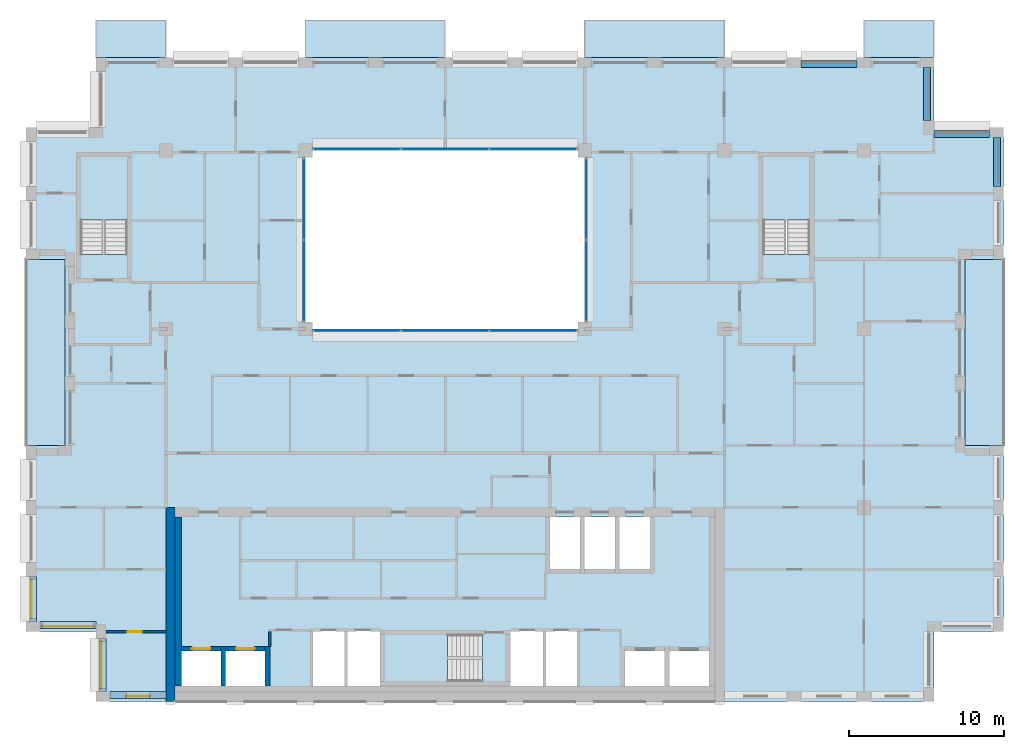
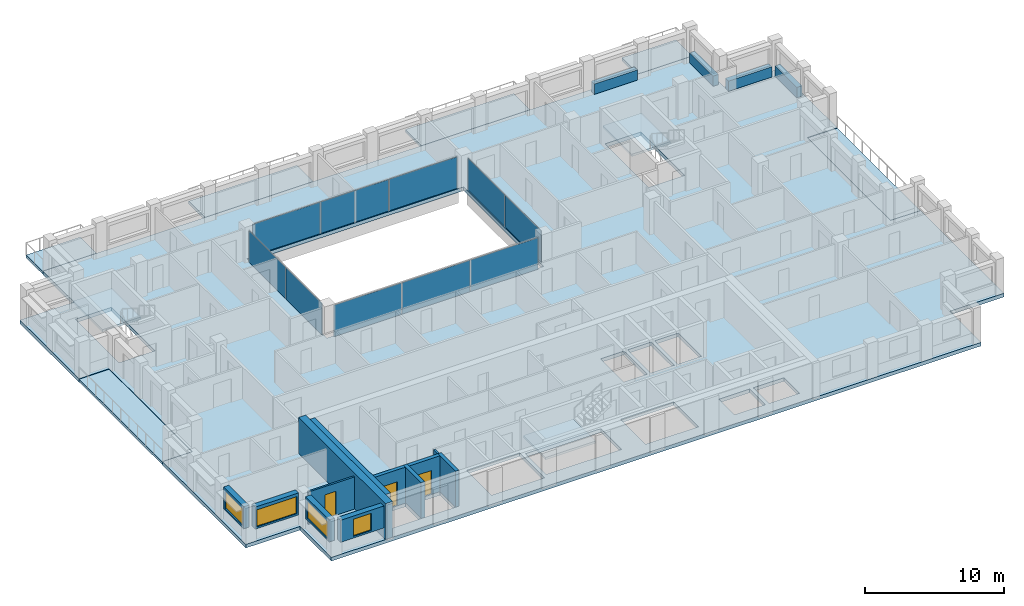
# One storey, part 7 of 15: 12 walls, 10 plates, 10 slabs, 4 beams, 4 windows, 3 doors, 7 openings, 7 elements without a shape of their own.
"""IFC4 building model written with IfcOpenShell, lengths in metres."""

from ifc_helpers import new_model, si_unit, direction, frame, frame_2d, origin, origin_2d, place, context, subcontext, project, spatial, polyline, rectangle, outline, extrude, material, layer, layer_set, material_profile, profile_set, type_object, element, fill, aggregate, save


model = new_model("IFC4")

# Units and contexts
model_context = context("Model", 3, precision=1e-05, world=origin(), true_north=direction((0.0, 1.0)))
body_context = subcontext(model_context, "Body", "Model", "MODEL_VIEW")
ifc_project = project(units=[si_unit("LENGTHUNIT", "METRE"), si_unit("AREAUNIT", "SQUARE_METRE"), si_unit("VOLUMEUNIT", "CUBIC_METRE"), si_unit("PLANEANGLEUNIT", "RADIAN"), si_unit("MASSUNIT", "GRAM", prefix="KILO")], contexts=[model_context])

# Site, building, storey
site_placement = place(None, origin())
site = spatial("IfcSite", under=ifc_project, at=site_placement, CompositionType="ELEMENT")
building_placement = place(site_placement, origin())
building = spatial("IfcBuilding", under=site, at=building_placement, Name="Brigalow Station Residences", CompositionType="ELEMENT")
storey_placement = place(building_placement, frame((0.0, 0.0, 207.449951171875)))
storey = spatial("IfcBuildingStorey", under=building, at=storey_placement, Name="L59", CompositionType="ELEMENT", Elevation=207.449951171875)

# Beams
ifc_material_1 = material(Name="Concrete C50", Category="concrete")
ifc_material_profile = material_profile(ifc_material_1, rectangle(XDim=0.449951171875, YDim=0.89990234375, at=origin_2d()), Name="RC450x900")
ifc_profile_set = profile_set([ifc_material_profile], Name="Concrete C50")
beam_type = type_object("IfcBeamType", Name="SPANDREL BEAM 450x900 C50", PredefinedType="SPANDREL", material=ifc_profile_set)
beam_1_placement = place(storey_placement, frame((71.574951171875, 33.199951171875, 0.449951171875), z_axis=(0.0, 1.0, 0.0), x_axis=(-1.0, 0.0, 0.0)))
element("IfcBeam", 1, at=beam_1_placement, inside=storey, type_object=beam_type, Name="L59/spandrel/W-L59-17", PredefinedType="SPANDREL", context=body_context, shape_type="SweptSolid", body=[
    extrude(rectangle(XDim=0.449951171875, YDim=0.89990234375, at=origin_2d()), origin(), (0.0, 0.0, 1.0), 3.150146484375),
])
beam_2_placement = place(storey_placement, frame((71.10009765625, 36.574951171875, 0.449951171875), z_axis=(-1.0, 0.0, 0.0), x_axis=(0.0, -1.0, 0.0)))
element("IfcBeam", 2, at=beam_2_placement, inside=storey, type_object=beam_type, Name="L59/spandrel/W-L59-18", PredefinedType="SPANDREL", context=body_context, shape_type="SweptSolid", body=[
    extrude(rectangle(XDim=0.449951171875, YDim=0.89990234375, at=origin_2d()), origin(), (0.0, 0.0, 1.0), 3.60009765625),
])
beam_3_placement = place(storey_placement, frame((67.074951171875, 37.449951171875, 0.449951171875), z_axis=(0.0, 1.0, 0.0), x_axis=(-1.0, 0.0, 0.0)))
element("IfcBeam", 3, at=beam_3_placement, inside=storey, type_object=beam_type, Name="L59/spandrel/W-L59-19", PredefinedType="SPANDREL", context=body_context, shape_type="SweptSolid", body=[
    extrude(rectangle(XDim=0.449951171875, YDim=0.89990234375, at=origin_2d()), origin(), (0.0, 0.0, 1.0), 3.400146484375),
])
beam_4_placement = place(storey_placement, frame((62.550048828125, 41.074951171875, 0.449951171875), z_axis=(-1.0, 0.0, 0.0), x_axis=(0.0, -1.0, 0.0)))
element("IfcBeam", 4, at=beam_4_placement, inside=storey, type_object=beam_type, Name="L59/spandrel/W-L59-21", PredefinedType="SPANDREL", context=body_context, shape_type="SweptSolid", body=[
    extrude(rectangle(XDim=0.449951171875, YDim=0.89990234375, at=origin_2d()), origin(), (0.0, 0.0, 1.0), 3.60009765625),
])

# Curtain wall, plates
ifc_material_2 = material(Name="Aluminium", Category="aluminium")
ifc_layer_1 = layer(ifc_material_2, 0.14990234375)
ifc_layer_set_1 = layer_set([ifc_layer_1], Name="ATRIUM FIRE-RATED GLAZING CURTAIN WALL")
curtain_wall_type = type_object("IfcCurtainWallType", Name="ATRIUM FIRE-RATED GLAZING CURTAIN WALL", PredefinedType="NOTDEFINED", material=ifc_layer_set_1)
curtain_wall_1_placement = place(storey_placement, origin())
curtain_wall_1 = element("IfcCurtainWall", 5, at=curtain_wall_1_placement, inside=storey, type_object=curtain_wall_type, Name="L59/cw/atrium-S", PredefinedType="NOTDEFINED")
ifc_material_3 = material(Name="Fire-resisting laminated glazing, FRL -/60/-", Category="glass")
ifc_layer_2 = layer(ifc_material_3, 0.031982421875)
ifc_layer_set_2 = layer_set([ifc_layer_2], Name="ATRIUM FIRE-RATED GLAZING PANEL 32")
plate_type = type_object("IfcPlateType", Name="ATRIUM FIRE-RATED GLAZING PANEL 32", PredefinedType="CURTAIN_PANEL", material=ifc_layer_set_2)
plate_1_placement = place(storey_placement, frame((30.31494140625, 23.89990234375, 0.0), z_axis=(0.0, 0.0, 1.0), x_axis=(1.0, 0.0, 0.0)))
plate_1 = element("IfcPlate", 6, at=plate_1_placement, type_object=plate_type, Name="L59/cw/atrium-S/P00-00", PredefinedType="CURTAIN_PANEL", context=body_context, shape_type="SweptSolid", body=[
    extrude(rectangle(XDim=5.610107421875, YDim=0.031982421875, at=origin_2d()), origin(), (0.0, 0.0, 1.0), 2.77001953125),
])
plate_2_placement = place(storey_placement, frame((36.0, 23.89990234375, 0.0), z_axis=(0.0, 0.0, 1.0), x_axis=(1.0, 0.0, 0.0)))
plate_2 = element("IfcPlate", 7, at=plate_2_placement, type_object=plate_type, Name="L59/cw/atrium-S/P01-00", PredefinedType="CURTAIN_PANEL", context=body_context, shape_type="SweptSolid", body=[
    extrude(rectangle(XDim=5.639892578125, YDim=0.031982421875, at=origin_2d()), origin(), (0.0, 0.0, 1.0), 2.77001953125),
])
plate_3_placement = place(storey_placement, frame((41.68505859375, 23.89990234375, 0.0), z_axis=(0.0, 0.0, 1.0), x_axis=(1.0, 0.0, 0.0)))
plate_3 = element("IfcPlate", 8, at=plate_3_placement, type_object=plate_type, Name="L59/cw/atrium-S/P02-00", PredefinedType="CURTAIN_PANEL", context=body_context, shape_type="SweptSolid", body=[
    extrude(rectangle(XDim=5.610107421875, YDim=0.031982421875, at=origin_2d()), origin(), (0.0, 0.0, 1.0), 2.77001953125),
])
aggregate(curtain_wall_1, [plate_1, plate_2, plate_3])

curtain_wall_2_placement = place(storey_placement, origin())
curtain_wall_2 = element("IfcCurtainWall", 9, at=curtain_wall_2_placement, inside=storey, type_object=curtain_wall_type, Name="L59/cw/atrium-E", PredefinedType="NOTDEFINED")
plate_4_placement = place(storey_placement, frame((45.10009765625, 27.114990234375, 0.0), z_axis=(0.0, 0.0, 1.0), x_axis=(0.0, 1.0, 0.0)))
plate_4 = element("IfcPlate", 10, at=plate_4_placement, type_object=plate_type, Name="L59/cw/atrium-E/P00-00", PredefinedType="CURTAIN_PANEL", context=body_context, shape_type="SweptSolid", body=[
    extrude(rectangle(XDim=5.2099609375, YDim=0.031982421875, at=origin_2d()), origin(), (0.0, 0.0, 1.0), 2.77001953125),
])
plate_5_placement = place(storey_placement, frame((45.10009765625, 32.385009765625, 0.0), z_axis=(0.0, 0.0, 1.0), x_axis=(0.0, 1.0, 0.0)))
plate_5 = element("IfcPlate", 11, at=plate_5_placement, type_object=plate_type, Name="L59/cw/atrium-E/P01-00", PredefinedType="CURTAIN_PANEL", context=body_context, shape_type="SweptSolid", body=[
    extrude(rectangle(XDim=5.2099609375, YDim=0.031982421875, at=origin_2d()), origin(), (0.0, 0.0, 1.0), 2.77001953125),
])
aggregate(curtain_wall_2, [plate_4, plate_5])

curtain_wall_3_placement = place(storey_placement, origin())
curtain_wall_3 = element("IfcCurtainWall", 12, at=curtain_wall_3_placement, inside=storey, type_object=curtain_wall_type, Name="L59/cw/atrium-N", PredefinedType="NOTDEFINED")
plate_6_placement = place(storey_placement, frame((41.68505859375, 35.60009765625, 0.0), z_axis=(0.0, 0.0, 1.0), x_axis=(-1.0, 0.0, 0.0)))
plate_6 = element("IfcPlate", 13, at=plate_6_placement, type_object=plate_type, Name="L59/cw/atrium-N/P00-00", PredefinedType="CURTAIN_PANEL", context=body_context, shape_type="SweptSolid", body=[
    extrude(rectangle(XDim=5.610107421875, YDim=0.031982421875, at=origin_2d()), origin(), (0.0, 0.0, 1.0), 2.77001953125),
])
plate_7_placement = place(storey_placement, frame((36.0, 35.60009765625, 0.0), z_axis=(0.0, 0.0, 1.0), x_axis=(-1.0, 0.0, 0.0)))
plate_7 = element("IfcPlate", 14, at=plate_7_placement, type_object=plate_type, Name="L59/cw/atrium-N/P01-00", PredefinedType="CURTAIN_PANEL", context=body_context, shape_type="SweptSolid", body=[
    extrude(rectangle(XDim=5.639892578125, YDim=0.031982421875, at=origin_2d()), origin(), (0.0, 0.0, 1.0), 2.77001953125),
])
plate_8_placement = place(storey_placement, frame((30.31494140625, 35.60009765625, 0.0), z_axis=(0.0, 0.0, 1.0), x_axis=(-1.0, 0.0, 0.0)))
plate_8 = element("IfcPlate", 15, at=plate_8_placement, type_object=plate_type, Name="L59/cw/atrium-N/P02-00", PredefinedType="CURTAIN_PANEL", context=body_context, shape_type="SweptSolid", body=[
    extrude(rectangle(XDim=5.610107421875, YDim=0.031982421875, at=origin_2d()), origin(), (0.0, 0.0, 1.0), 2.77001953125),
])
aggregate(curtain_wall_3, [plate_6, plate_7, plate_8])

curtain_wall_4_placement = place(storey_placement, origin())
curtain_wall_4 = element("IfcCurtainWall", 16, at=curtain_wall_4_placement, inside=storey, type_object=curtain_wall_type, Name="L59/cw/atrium-W", PredefinedType="NOTDEFINED")
plate_9_placement = place(storey_placement, frame((26.89990234375, 32.385009765625, 0.0), z_axis=(0.0, 0.0, 1.0), x_axis=(0.0, -1.0, 0.0)))
plate_9 = element("IfcPlate", 17, at=plate_9_placement, type_object=plate_type, Name="L59/cw/atrium-W/P00-00", PredefinedType="CURTAIN_PANEL", context=body_context, shape_type="SweptSolid", body=[
    extrude(rectangle(XDim=5.2099609375, YDim=0.031982421875, at=origin_2d()), origin(), (0.0, 0.0, 1.0), 2.77001953125),
])
plate_10_placement = place(storey_placement, frame((26.89990234375, 27.114990234375, 0.0), z_axis=(0.0, 0.0, 1.0), x_axis=(0.0, -1.0, 0.0)))
plate_10 = element("IfcPlate", 18, at=plate_10_placement, type_object=plate_type, Name="L59/cw/atrium-W/P01-00", PredefinedType="CURTAIN_PANEL", context=body_context, shape_type="SweptSolid", body=[
    extrude(rectangle(XDim=5.2099609375, YDim=0.031982421875, at=origin_2d()), origin(), (0.0, 0.0, 1.0), 2.77001953125),
])
aggregate(curtain_wall_4, [plate_9, plate_10])

# Slabs
ifc_material_4 = material(Name="Concrete C50 precast", Category="concrete")
ifc_layer_3 = layer(ifc_material_4, 0.25)
ifc_layer_set_3 = layer_set([ifc_layer_3], Name="BALCONY SLAB 250")
slab_type_1 = type_object("IfcSlabType", Name="BALCONY SLAB 250", PredefinedType="USERDEFINED", material=ifc_layer_set_3)
slab_1_placement = place(storey_placement, frame((0.0, 0.0, -0.2900390625)))
element("IfcSlab", 19, at=slab_1_placement, inside=storey, type_object=slab_type_1, Name="L59/balcony/1", ObjectType="BALCONY", PredefinedType="USERDEFINED", context=body_context, shape_type="SweptSolid", body=[
    extrude(outline(polyline([(69.5, 16.5), (72.0, 16.5), (72.0, 28.5), (69.5, 28.5), (69.5, 16.5)])), origin(), (0.0, 0.0, 1.0), 0.25),
])
slab_2_placement = place(storey_placement, frame((0.0, 0.0, -0.2900390625)))
element("IfcSlab", 20, at=slab_2_placement, inside=storey, type_object=slab_type_1, Name="L59/balcony/2", ObjectType="BALCONY", PredefinedType="USERDEFINED", context=body_context, shape_type="SweptSolid", body=[
    extrude(outline(polyline([(67.5, 41.5), (67.5, 43.89990234375), (63.0, 43.89990234375), (63.0, 41.5), (67.5, 41.5)])), origin(), (0.0, 0.0, 1.0), 0.25),
])
slab_3_placement = place(storey_placement, frame((0.0, 0.0, -0.2900390625)))
element("IfcSlab", 21, at=slab_3_placement, inside=storey, type_object=slab_type_1, Name="L59/balcony/3", ObjectType="BALCONY", PredefinedType="USERDEFINED", context=body_context, shape_type="SweptSolid", body=[
    extrude(outline(polyline([(54.0, 41.5), (54.0, 43.89990234375), (45.0, 43.89990234375), (45.0, 41.5), (54.0, 41.5)])), origin(), (0.0, 0.0, 1.0), 0.25),
])
slab_4_placement = place(storey_placement, frame((0.0, 0.0, -0.2900390625)))
element("IfcSlab", 22, at=slab_4_placement, inside=storey, type_object=slab_type_1, Name="L59/balcony/4", ObjectType="BALCONY", PredefinedType="USERDEFINED", context=body_context, shape_type="SweptSolid", body=[
    extrude(outline(polyline([(36.0, 41.5), (36.0, 43.89990234375), (27.0, 43.89990234375), (27.0, 41.5), (36.0, 41.5)])), origin(), (0.0, 0.0, 1.0), 0.25),
])
slab_5_placement = place(storey_placement, frame((0.0, 0.0, -0.2900390625)))
element("IfcSlab", 23, at=slab_5_placement, inside=storey, type_object=slab_type_1, Name="L59/balcony/5", ObjectType="BALCONY", PredefinedType="USERDEFINED", context=body_context, shape_type="SweptSolid", body=[
    extrude(outline(polyline([(18.0, 41.5), (18.0, 43.89990234375), (13.5, 43.89990234375), (13.5, 41.5), (18.0, 41.5)])), origin(), (0.0, 0.0, 1.0), 0.25),
])
slab_6_placement = place(storey_placement, frame((0.0, 0.0, -0.2900390625)))
element("IfcSlab", 24, at=slab_6_placement, inside=storey, type_object=slab_type_1, Name="L59/balcony/6", ObjectType="BALCONY", PredefinedType="USERDEFINED", context=body_context, shape_type="SweptSolid", body=[
    extrude(outline(polyline([(11.5, 28.5), (9.0, 28.5), (9.0, 16.5), (11.5, 16.5), (11.5, 28.5)])), origin(), (0.0, 0.0, 1.0), 0.25),
])
ifc_material_5 = material(Name="Concrete C50", Category="concrete")
ifc_layer_4 = layer(ifc_material_5, 0.320068359375)
ifc_layer_set_4 = layer_set([ifc_layer_4], Name="POST-TENSIONED FLAT PLATE 320 C50")
slab_type_2 = type_object("IfcSlabType", Name="POST-TENSIONED FLAT PLATE 320 C50", PredefinedType="FLOOR", material=ifc_layer_set_4)
slab_7_placement = place(storey_placement, frame((0.0, 0.0, -0.320068359375)))
element("IfcSlab", 25, at=slab_7_placement, inside=storey, type_object=slab_type_2, Name="FLOOR SLAB L59", PredefinedType="FLOOR", context=body_context, shape_type="SweptSolid", body=[
    extrude(outline(polyline([(13.5, 0.0), (67.5, 0.0), (67.5, 4.5), (72.0, 4.5), (72.0, 16.5), (69.5, 16.5), (69.5, 28.5), (72.0, 28.5), (72.0, 37.0), (67.5, 37.0), (67.5, 41.5), (13.5, 41.5), (13.5, 37.0), (9.0, 37.0), (9.0, 28.5), (11.5, 28.5), (11.5, 16.5), (9.0, 16.5), (9.0, 4.5), (13.5, 4.5), (13.5, 0.0)]), holes=[polyline([(12.5048828125, 35.094970703125), (15.4951171875, 35.094970703125), (15.4951171875, 28.804931640625), (12.5048828125, 28.804931640625), (12.5048828125, 35.094970703125)]), polyline([(19.0, 1.0), (19.0, 3.25), (21.550048828125, 3.25), (21.550048828125, 1.0), (19.0, 1.0)]), polyline([(21.85009765625, 3.25), (24.39990234375, 3.25), (24.39990234375, 1.0), (21.85009765625, 1.0), (21.85009765625, 3.25)]), polyline([(27.0, 35.5), (45.0, 35.5), (45.0, 24.0), (27.0, 24.0), (27.0, 35.5)]), polyline([(29.60009765625, 4.60009765625), (31.800048828125, 4.60009765625), (31.800048828125, 1.0), (29.60009765625, 1.0), (27.39990234375, 1.0), (27.39990234375, 4.60009765625), (29.60009765625, 4.60009765625)]), polyline([(32.10498046875, 4.294921875), (38.39501953125, 4.294921875), (38.39501953125, 1.304931640625), (32.10498046875, 1.304931640625), (32.10498046875, 4.294921875)]), polyline([(40.199951171875, 4.60009765625), (42.39990234375, 4.60009765625), (44.60009765625, 4.60009765625), (44.60009765625, 1.0), (42.39990234375, 1.0), (40.199951171875, 1.0), (40.199951171875, 4.60009765625)]), polyline([(42.75, 11.89990234375), (44.699951171875, 11.89990234375), (44.699951171875, 8.550048828125), (42.75, 8.550048828125), (42.75, 11.89990234375)]), polyline([(45.0, 11.89990234375), (46.949951171875, 11.89990234375), (46.949951171875, 8.550048828125), (45.0, 8.550048828125), (45.0, 11.89990234375)]), polyline([(47.25, 11.89990234375), (49.199951171875, 11.89990234375), (49.199951171875, 8.550048828125), (47.25, 8.550048828125), (47.25, 11.89990234375)]), polyline([(47.60009765625, 3.25), (50.14990234375, 3.25), (50.14990234375, 1.0), (47.60009765625, 1.0), (47.60009765625, 3.25)]), polyline([(50.449951171875, 3.25), (53.0, 3.25), (53.0, 1.0), (50.449951171875, 1.0), (50.449951171875, 3.25)]), polyline([(56.5048828125, 35.094970703125), (59.4951171875, 35.094970703125), (59.4951171875, 28.804931640625), (56.5048828125, 28.804931640625), (56.5048828125, 35.094970703125)])]), origin(), (0.0, 0.0, 1.0), 0.320068359375),
])

# Stair, slab
ifc_material_6 = material(Name="Concrete C50", Category="concrete")
stair_type = type_object("IfcStairType", Name="EXIT STAIR 1400 2 FLIGHT", PredefinedType="HALF_TURN_STAIR", material=ifc_material_6)
stair_1_placement = place(storey_placement, origin())
stair_1 = element("IfcStair", 26, at=stair_1_placement, inside=storey, type_object=stair_type, Name="EXIT STAIR S2 L59", PredefinedType="HALF_TURN_STAIR")
ifc_material_7 = material(Name="Concrete C50", Category="concrete")
ifc_layer_5 = layer(ifc_material_7, 0.199951171875)
ifc_layer_set_5 = layer_set([ifc_layer_5], Name="STAIR LANDING 200")
slab_type_3 = type_object("IfcSlabType", Name="STAIR LANDING 200", PredefinedType="LANDING", material=ifc_layer_set_5)
slab_8_placement = place(storey_placement, frame((0.0, 0.0, 1.375)))
slab_8 = element("IfcSlab", 27, at=slab_8_placement, type_object=slab_type_3, Name="ST-2 landing 1", PredefinedType="LANDING", context=body_context, shape_type="SweptSolid", body=[
    extrude(outline(polyline([(32.0, 1.199951171875), (36.159912109375, 1.199951171875), (36.159912109375, 4.39990234375), (32.0, 4.39990234375), (32.0, 1.199951171875)])), origin(), (0.0, 0.0, 1.0), 0.199951171875),
])
aggregate(stair_1, [slab_8])

stair_2_placement = place(storey_placement, origin())
stair_2 = element("IfcStair", 28, at=stair_2_placement, inside=storey, type_object=stair_type, Name="EXIT STAIR S1 L59", PredefinedType="HALF_TURN_STAIR")
slab_9_placement = place(storey_placement, frame((0.0, 0.0, 1.375)))
slab_9 = element("IfcSlab", 29, at=slab_9_placement, type_object=slab_type_3, Name="ST-1 landing 1", PredefinedType="LANDING", context=body_context, shape_type="SweptSolid", body=[
    extrude(outline(polyline([(12.39990234375, 31.0400390625), (15.60009765625, 31.0400390625), (15.60009765625, 35.199951171875), (12.39990234375, 35.199951171875), (12.39990234375, 31.0400390625)])), origin(), (0.0, 0.0, 1.0), 0.199951171875),
])
aggregate(stair_2, [slab_9])

stair_3_placement = place(storey_placement, origin())
stair_3 = element("IfcStair", 30, at=stair_3_placement, inside=storey, type_object=stair_type, Name="EXIT STAIR S3 L59", PredefinedType="HALF_TURN_STAIR")
slab_10_placement = place(storey_placement, frame((0.0, 0.0, 1.375)))
slab_10 = element("IfcSlab", 31, at=slab_10_placement, type_object=slab_type_3, Name="ST-3 landing 1", PredefinedType="LANDING", context=body_context, shape_type="SweptSolid", body=[
    extrude(outline(polyline([(56.39990234375, 31.0400390625), (59.60009765625, 31.0400390625), (59.60009765625, 35.199951171875), (56.39990234375, 35.199951171875), (56.39990234375, 31.0400390625)])), origin(), (0.0, 0.0, 1.0), 0.199951171875),
])
aggregate(stair_3, [slab_10])

# Wall, opening, window
ifc_material_8 = material(Name="Clay brick masonry", Category="masonry")
ifc_layer_6 = layer(ifc_material_8, 0.449951171875)
ifc_layer_set_6 = layer_set([ifc_layer_6], Name="BRICK INFILL WALL 450")
wall_type_1 = type_object("IfcWallType", Name="BRICK INFILL WALL 450", PredefinedType="SOLIDWALL", material=ifc_layer_set_6)
wall_1_placement = place(storey_placement, frame((14.39990234375, 0.425048828125, 0.900146484375), z_axis=(0.0, 0.0, 1.0), x_axis=(1.0, 0.0, 0.0)))
wall_1 = element("IfcWall", 32, at=wall_1_placement, inside=storey, type_object=wall_type_1, Name="L59/ewall/W-L59-1", PredefinedType="SOLIDWALL", context=body_context, shape_type="SweptSolid", body=[
    extrude(rectangle(XDim=3.60009765625, YDim=0.449951171875, at=frame_2d((1.800048828125, 0.0))), origin(), (0.0, 0.0, 1.0), 1.929931640625),
])
opening_1_placement = place(wall_1_placement, frame((1.050048828125, 0.0, 0.14990234375)))
opening_1 = element("IfcOpeningElement", 33, at=opening_1_placement, cuts=wall_1, Name="Opening WT-1", PredefinedType="OPENING", context=body_context, shape_type="SweptSolid", body=[
    extrude(rectangle(XDim=1.5, YDim=1.5, at=frame_2d((0.75, 0.75))), frame((0.0, 0.23486328125, 0.0), z_axis=(0.0, -1.0, 0.0), x_axis=(1.0, 0.0, 0.0)), (0.0, 0.0, 1.0), 0.469970703125),
])
ifc_material_9 = material(Name="Anodised aluminium frame with double glazing", Category="aluminium")
window_type_1 = type_object("IfcWindowType", Name="WINDOW 1500x1500", PartitioningType="SINGLE_PANEL", PredefinedType="WINDOW", material=ifc_material_9)
window_1_placement = place(opening_1_placement, origin())
window_1 = element("IfcWindow", 34, at=window_1_placement, inside=storey, type_object=window_type_1, Name="L59/window/W-L59-1", OverallHeight=1.5, OverallWidth=1.5, PartitioningType="SINGLE_PANEL", PredefinedType="WINDOW", context=body_context, shape_type="SweptSolid", body=[
    extrude(rectangle(XDim=1.5, YDim=1.5, at=frame_2d((0.75, 0.75))), frame((0.0, -0.06494140625, 0.0), z_axis=(0.0, -1.0, 0.0), x_axis=(1.0, 0.0, 0.0)), (0.0, 0.0, 1.0), 0.06005859375),
])
fill(opening_1, window_1)

wall_2_placement = place(storey_placement, frame((9.425048828125, 8.050048828125, 0.900146484375), z_axis=(0.0, 0.0, 1.0), x_axis=(0.0, -1.0, 0.0)))
wall_2 = element("IfcWall", 35, at=wall_2_placement, inside=storey, type_object=wall_type_1, Name="L59/ewall/W-L59-43", PredefinedType="SOLIDWALL", context=body_context, shape_type="SweptSolid", body=[
    extrude(rectangle(XDim=2.900146484375, YDim=0.449951171875, at=frame_2d((1.4501953125, 0.0))), origin(), (0.0, 0.0, 1.0), 1.929931640625),
])
opening_2_placement = place(wall_2_placement, frame((0.199951171875, 0.0, 0.14990234375)))
opening_2 = element("IfcOpeningElement", 36, at=opening_2_placement, cuts=wall_2, Name="Opening WT-5", PredefinedType="OPENING", context=body_context, shape_type="SweptSolid", body=[
    extrude(rectangle(XDim=2.5, YDim=1.5, at=frame_2d((1.25, 0.75))), frame((0.0, 0.23486328125, 0.0), z_axis=(0.0, -1.0, 0.0), x_axis=(1.0, 0.0, 0.0)), (0.0, 0.0, 1.0), 0.469970703125),
])
ifc_material_10 = material(Name="Anodised aluminium frame with double glazing", Category="aluminium")
window_type_2 = type_object("IfcWindowType", Name="WINDOW 2500x1500", PartitioningType="SINGLE_PANEL", PredefinedType="WINDOW", material=ifc_material_10)
window_2_placement = place(opening_2_placement, origin())
window_2 = element("IfcWindow", 37, at=window_2_placement, inside=storey, type_object=window_type_2, Name="L59/window/W-L59-43", OverallHeight=1.5, OverallWidth=2.5, PartitioningType="SINGLE_PANEL", PredefinedType="WINDOW", context=body_context, shape_type="SweptSolid", body=[
    extrude(rectangle(XDim=2.5, YDim=1.5, at=frame_2d((1.25, 0.75))), frame((0.0, -0.06494140625, 0.0), z_axis=(0.0, -1.0, 0.0), x_axis=(1.0, 0.0, 0.0)), (0.0, 0.0, 1.0), 0.06005859375),
])
fill(opening_2, window_2)

wall_3_placement = place(storey_placement, frame((9.89990234375, 4.925048828125, 0.900146484375), z_axis=(0.0, 0.0, 1.0), x_axis=(1.0, 0.0, 0.0)))
wall_3 = element("IfcWall", 38, at=wall_3_placement, inside=storey, type_object=wall_type_1, Name="L59/ewall/W-L59-44", PredefinedType="SOLIDWALL", context=body_context, shape_type="SweptSolid", body=[
    extrude(rectangle(XDim=3.60009765625, YDim=0.449951171875, at=frame_2d((1.800048828125, 0.0))), origin(), (0.0, 0.0, 1.0), 1.929931640625),
])
opening_3_placement = place(wall_3_placement, frame((0.14990234375, 0.0, 0.14990234375)))
opening_3 = element("IfcOpeningElement", 39, at=opening_3_placement, cuts=wall_3, Name="Opening WT-10", PredefinedType="OPENING", context=body_context, shape_type="SweptSolid", body=[
    extrude(rectangle(XDim=3.300048828125, YDim=1.5, at=frame_2d((1.64990234375, 0.75))), frame((0.0, 0.23486328125, 0.0), z_axis=(0.0, -1.0, 0.0), x_axis=(1.0, 0.0, 0.0)), (0.0, 0.0, 1.0), 0.469970703125),
])
ifc_material_11 = material(Name="Anodised aluminium frame with double glazing", Category="aluminium")
window_type_3 = type_object("IfcWindowType", Name="WINDOW 3300x1500", PartitioningType="SINGLE_PANEL", PredefinedType="WINDOW", material=ifc_material_11)
window_3_placement = place(opening_3_placement, origin())
window_3 = element("IfcWindow", 40, at=window_3_placement, inside=storey, type_object=window_type_3, Name="L59/window/W-L59-44", OverallHeight=1.5, OverallWidth=3.300048828125, PartitioningType="SINGLE_PANEL", PredefinedType="WINDOW", context=body_context, shape_type="SweptSolid", body=[
    extrude(rectangle(XDim=3.300048828125, YDim=1.5, at=frame_2d((1.64990234375, 0.75))), frame((0.0, -0.06494140625, 0.0), z_axis=(0.0, -1.0, 0.0), x_axis=(1.0, 0.0, 0.0)), (0.0, 0.0, 1.0), 0.06005859375),
])
fill(opening_3, window_3)

wall_4_placement = place(storey_placement, frame((13.925048828125, 4.050048828125, 0.900146484375), z_axis=(0.0, 0.0, 1.0), x_axis=(0.0, -1.0, 0.0)))
wall_4 = element("IfcWall", 41, at=wall_4_placement, inside=storey, type_object=wall_type_1, Name="L59/ewall/W-L59-45", PredefinedType="SOLIDWALL", context=body_context, shape_type="SweptSolid", body=[
    extrude(rectangle(XDim=3.400146484375, YDim=0.449951171875, at=frame_2d((1.7001953125, 0.0))), origin(), (0.0, 0.0, 1.0), 1.929931640625),
])
opening_4_placement = place(wall_4_placement, frame((0.199951171875, 0.0, 0.14990234375)))
opening_4 = element("IfcOpeningElement", 42, at=opening_4_placement, cuts=wall_4, Name="Opening WT-2", PredefinedType="OPENING", context=body_context, shape_type="SweptSolid", body=[
    extrude(rectangle(XDim=3.0, YDim=1.5, at=frame_2d((1.5, 0.75))), frame((0.0, 0.23486328125, 0.0), z_axis=(0.0, -1.0, 0.0), x_axis=(1.0, 0.0, 0.0)), (0.0, 0.0, 1.0), 0.469970703125),
])
ifc_material_12 = material(Name="Anodised aluminium frame with double glazing", Category="aluminium")
window_type_4 = type_object("IfcWindowType", Name="WINDOW 3000x1500", PartitioningType="SINGLE_PANEL", PredefinedType="WINDOW", material=ifc_material_12)
window_4_placement = place(opening_4_placement, origin())
window_4 = element("IfcWindow", 43, at=window_4_placement, inside=storey, type_object=window_type_4, Name="L59/window/W-L59-45", OverallHeight=1.5, OverallWidth=3.0, PartitioningType="SINGLE_PANEL", PredefinedType="WINDOW", context=body_context, shape_type="SweptSolid", body=[
    extrude(rectangle(XDim=3.0, YDim=1.5, at=frame_2d((1.5, 0.75))), frame((0.0, -0.06494140625, 0.0), z_axis=(0.0, -1.0, 0.0), x_axis=(1.0, 0.0, 0.0)), (0.0, 0.0, 1.0), 0.06005859375),
])
fill(opening_4, window_4)

# Wall, opening, door
ifc_material_13 = material(Name="Concrete C50", Category="concrete")
ifc_layer_7 = layer(ifc_material_13, 0.300048828125)
ifc_layer_set_7 = layer_set([ifc_layer_7], Name="CORE SHEAR WALL 300 C50")
wall_type_2 = type_object("IfcWallType", Name="CORE SHEAR WALL 300 C50", PredefinedType="SHEAR", material=ifc_layer_set_7)
wall_5_placement = place(storey_placement, frame((19.0, 3.39990234375, 0.0), z_axis=(0.0, 0.0, 1.0), x_axis=(1.0, 0.0, 0.0)))
wall_5 = element("IfcWall", 44, at=wall_5_placement, inside=storey, type_object=wall_type_2, Name="CORE WALL SH-C1-N L59", PredefinedType="SHEAR", context=body_context, shape_type="SweptSolid", body=[
    extrude(rectangle(XDim=2.550048828125, YDim=0.300048828125, at=frame_2d((1.27490234375, 0.0))), origin(), (0.0, 0.0, 1.0), 3.150146484375),
])
opening_5_placement = place(wall_5_placement, frame((0.675048828125, 0.0, 0.0)))
opening_5 = element("IfcOpeningElement", 45, at=opening_5_placement, cuts=wall_5, Name="Opening LD-LB1", PredefinedType="OPENING", context=body_context, shape_type="SweptSolid", body=[
    extrude(rectangle(XDim=1.199951171875, YDim=2.10009765625, at=frame_2d((0.60009765625, 1.050048828125))), frame((0.0, 0.16015625, 0.0), z_axis=(0.0, -1.0, 0.0), x_axis=(1.0, 0.0, 0.0)), (0.0, 0.0, 1.0), 0.320068359375),
])
ifc_material_14 = material(Name="Stainless steel sliding door leaves", Category="steel")
door_type_1 = type_object("IfcDoorType", Name="LIFT LANDING DOOR 1200 x 2100", OperationType="DOUBLE_DOOR_SLIDING", PredefinedType="DOOR", material=ifc_material_14)
door_1_placement = place(opening_5_placement, origin())
door_1 = element("IfcDoor", 46, at=door_1_placement, inside=storey, type_object=door_type_1, Name="LANDING DOOR LB1", OperationType="DOUBLE_DOOR_SLIDING", OverallHeight=2.10009765625, OverallWidth=1.199951171875, PredefinedType="DOOR", context=body_context, shape_type="SweptSolid", body=[
    extrude(rectangle(XDim=1.199951171875, YDim=2.10009765625, at=frame_2d((0.60009765625, 1.050048828125))), frame((0.0, 0.02490234375, 0.0), z_axis=(0.0, -1.0, 0.0), x_axis=(1.0, 0.0, 0.0)), (0.0, 0.0, 1.0), 0.050048828125),
])
fill(opening_5, door_1)

wall_6_placement = place(storey_placement, frame((21.85009765625, 3.39990234375, 0.0), z_axis=(0.0, 0.0, 1.0), x_axis=(1.0, 0.0, 0.0)))
wall_6 = element("IfcWall", 47, at=wall_6_placement, inside=storey, type_object=wall_type_2, Name="CORE WALL SH-C2-N L59", PredefinedType="SHEAR", context=body_context, shape_type="SweptSolid", body=[
    extrude(rectangle(XDim=2.5498046875, YDim=0.300048828125, at=frame_2d((1.27490234375, 0.0))), origin(), (0.0, 0.0, 1.0), 3.150146484375),
])
opening_6_placement = place(wall_6_placement, frame((0.675048828125, 0.0, 0.0)))
opening_6 = element("IfcOpeningElement", 48, at=opening_6_placement, cuts=wall_6, Name="Opening LD-LB2", PredefinedType="OPENING", context=body_context, shape_type="SweptSolid", body=[
    extrude(rectangle(XDim=1.199951171875, YDim=2.10009765625, at=frame_2d((0.60009765625, 1.050048828125))), frame((0.0, 0.16015625, 0.0), z_axis=(0.0, -1.0, 0.0), x_axis=(1.0, 0.0, 0.0)), (0.0, 0.0, 1.0), 0.320068359375),
])
door_2_placement = place(opening_6_placement, origin())
door_2 = element("IfcDoor", 49, at=door_2_placement, inside=storey, type_object=door_type_1, Name="LANDING DOOR LB2", OperationType="DOUBLE_DOOR_SLIDING", OverallHeight=2.10009765625, OverallWidth=1.199951171875, PredefinedType="DOOR", context=body_context, shape_type="SweptSolid", body=[
    extrude(rectangle(XDim=1.199951171875, YDim=2.10009765625, at=frame_2d((0.60009765625, 1.050048828125))), frame((0.0, 0.02490234375, 0.0), z_axis=(0.0, -1.0, 0.0), x_axis=(1.0, 0.0, 0.0)), (0.0, 0.0, 1.0), 0.050048828125),
])
fill(opening_6, door_2)

# Walls
for number, where, z_axis, x_axis, name in (
    (50, (21.699951171875, 1.0, 0.0), (0.0, 0.0, 1.0), (0.0, 1.0, 0.0), "CORE WALL SH-C2-W L59"),
    (51, (24.550048828125, 1.0, 0.0), (0.0, 0.0, 1.0), (0.0, 1.0, 0.0), "CORE WALL SH-C2-E L59"),
):
    element("IfcWall", number, at=place(storey_placement, frame(where, z_axis=z_axis, x_axis=x_axis)), inside=storey, type_object=wall_type_2, Name=name, PredefinedType="SHEAR", context=body_context, shape_type="SweptSolid", body=[
        extrude(rectangle(XDim=2.550048828125, YDim=0.300048828125, at=frame_2d((1.27490234375, 0.0))), origin(), (0.0, 0.0, 1.0), 3.150146484375),
    ])
ifc_material_15 = material(Name="Concrete C50", Category="concrete")
ifc_layer_8 = layer(ifc_material_15, 0.39990234375)
ifc_layer_set_8 = layer_set([ifc_layer_8], Name="CORE SHEAR WALL 400 C50")
wall_type_3 = type_object("IfcWallType", Name="CORE SHEAR WALL 400 C50", PredefinedType="SHEAR", material=ifc_layer_set_8)
wall_7_placement = place(storey_placement, frame((18.800048828125, 1.0, 0.0), z_axis=(0.0, 0.0, 1.0), x_axis=(0.0, 1.0, 0.0)))
element("IfcWall", 52, at=wall_7_placement, inside=storey, type_object=wall_type_3, Name="CORE WALL LIN-W L59", PredefinedType="SHEAR", context=body_context, shape_type="SweptSolid", body=[
    extrude(rectangle(XDim=10.89990234375, YDim=0.39990234375, at=frame_2d((5.449951171875, 0.0))), origin(), (0.0, 0.0, 1.0), 3.150146484375),
])
ifc_material_16 = material(Name="Concrete C50", Category="concrete")
ifc_layer_9 = layer(ifc_material_16, 0.60009765625)
ifc_layer_set_9 = layer_set([ifc_layer_9], Name="CORE SHEAR WALL 600 C50")
wall_type_4 = type_object("IfcWallType", Name="CORE SHEAR WALL 600 C50", PredefinedType="SHEAR", material=ifc_layer_set_9)
wall_8_placement = place(storey_placement, frame((18.300048828125, 0.0, 0.0), z_axis=(0.0, 0.0, 1.0), x_axis=(0.0, 1.0, 0.0)))
element("IfcWall", 53, at=wall_8_placement, inside=storey, type_object=wall_type_4, Name="CORE WALL OUT-W L59", PredefinedType="SHEAR", context=body_context, shape_type="SweptSolid", body=[
    extrude(rectangle(XDim=12.5, YDim=0.60009765625, at=frame_2d((6.25, 0.0))), origin(), (0.0, 0.0, 1.0), 3.150146484375),
])

# Wall, opening, door
ifc_material_17 = material(Name="Plasterboard on steel stud partition", Category="steel")
ifc_layer_10 = layer(ifc_material_17, 0.14990234375)
ifc_layer_set_10 = layer_set([ifc_layer_10], Name="FLAT PARTITION 150")
wall_type_5 = type_object("IfcWallType", Name="FLAT PARTITION 150", PredefinedType="PARTITIONING", material=ifc_layer_set_10)
wall_9_placement = place(storey_placement, frame((14.14990234375, 4.5, 0.0), z_axis=(0.0, 0.0, 1.0), x_axis=(1.0, 0.0, 0.0)))
wall_9 = element("IfcWall", 54, at=wall_9_placement, inside=storey, type_object=wall_type_5, Name="PW-4B14", PredefinedType="PARTITIONING", context=body_context, shape_type="SweptSolid", body=[
    extrude(rectangle(XDim=3.85009765625, YDim=0.14990234375, at=frame_2d((1.925048828125, 0.0))), origin(), (0.0, 0.0, 1.0), 2.830078125),
])
opening_7_placement = place(wall_9_placement, frame((1.39990234375, 0.0, 0.0)))
opening_7 = element("IfcOpeningElement", 55, at=opening_7_placement, cuts=wall_9, Name="Opening D-4B09", PredefinedType="OPENING", context=body_context, shape_type="SweptSolid", body=[
    extrude(rectangle(XDim=0.89990234375, YDim=2.10009765625, at=frame_2d((0.449951171875, 1.050048828125))), frame((0.0, 0.0849609375, 0.0), z_axis=(0.0, -1.0, 0.0), x_axis=(1.0, 0.0, 0.0)), (0.0, 0.0, 1.0), 0.169921875),
])
ifc_material_18 = material(Name="Solid-core timber door leaf", Category="wood")
door_type_2 = type_object("IfcDoorType", Name="INTERNAL DOOR 900 x 2100", OperationType="SINGLE_SWING_LEFT", PredefinedType="DOOR", material=ifc_material_18)
door_3_placement = place(opening_7_placement, frame((0.89990234375, 0.0, 0.0), z_axis=(0.0, 0.0, 1.0), x_axis=(-1.0, 0.0, 0.0)))
door_3 = element("IfcDoor", 56, at=door_3_placement, inside=storey, type_object=door_type_2, Name="D-4B09", OperationType="SINGLE_SWING_RIGHT", OverallHeight=2.10009765625, OverallWidth=0.89990234375, PredefinedType="DOOR", context=body_context, shape_type="SweptSolid", body=[
    extrude(rectangle(XDim=0.89990234375, YDim=2.10009765625, at=frame_2d((0.449951171875, 1.050048828125))), frame((0.0, 0.02490234375, 0.0), z_axis=(0.0, -1.0, 0.0), x_axis=(1.0, 0.0, 0.0)), (0.0, 0.0, 1.0), 0.050048828125),
])
fill(opening_7, door_3)

# Wall
ifc_material_19 = material(Name="Plasterboard on steel studs", Category="steel")
ifc_layer_11 = layer(ifc_material_19, 0.14990234375)
ifc_layer_set_11 = layer_set([ifc_layer_11], Name="SERVICE ROOM PARTITION 150")
wall_type_6 = type_object("IfcWallType", Name="SERVICE ROOM PARTITION 150", PredefinedType="PARTITIONING", material=ifc_layer_set_11)
wall_10_placement = place(storey_placement, frame((24.699951171875, 3.550048828125, 0.0), z_axis=(0.0, 0.0, 1.0), x_axis=(0.0, 1.0, 0.0)))
element("IfcWall", 57, at=wall_10_placement, inside=storey, type_object=wall_type_6, Name="PW-5157", PredefinedType="PARTITIONING", context=body_context, shape_type="SweptSolid", body=[
    extrude(rectangle(XDim=0.974853515625, YDim=0.14990234375, at=frame_2d((0.4873046875, 0.0))), origin(), (0.0, 0.0, 1.0), 2.830078125),
])

save(model, "model.ifc")
